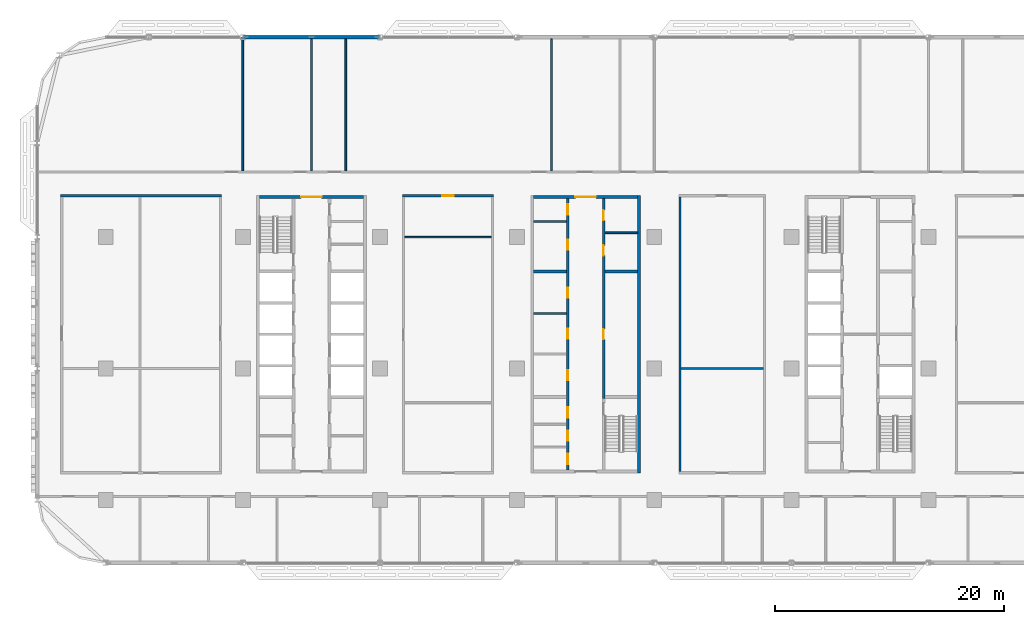
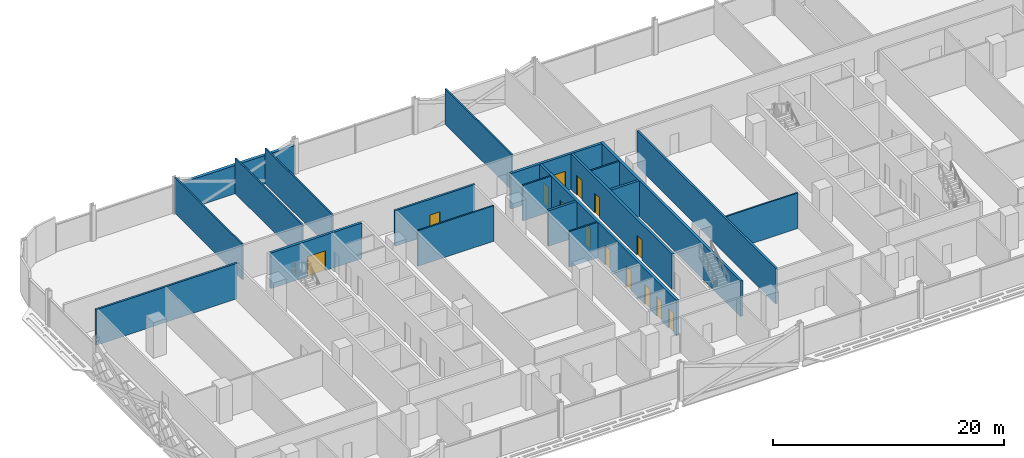
# One storey, part 15 of 29: 20 walls, 14 doors, 14 openings.
"""IFC4 building model written with IfcOpenShell, lengths in metres."""

from ifc_helpers import new_model, si_unit, direction, frame, frame_2d, origin, place, context, subcontext, project, spatial, rectangle, extrude, material, layer, layer_set, type_object, element, fill, save


model = new_model("IFC4")

# Units and contexts
model_context = context("Model", 3, precision=1e-05, world=origin(), true_north=direction((0.0, 1.0)))
body_context = subcontext(model_context, "Body", "Model", "MODEL_VIEW")
ifc_project = project(units=[si_unit("LENGTHUNIT", "METRE"), si_unit("AREAUNIT", "SQUARE_METRE"), si_unit("VOLUMEUNIT", "CUBIC_METRE"), si_unit("PLANEANGLEUNIT", "RADIAN"), si_unit("MASSUNIT", "GRAM", prefix="KILO")], contexts=[model_context])

# Site, building, storey
site_placement = place(None, origin())
site = spatial("IfcSite", under=ifc_project, at=site_placement, CompositionType="ELEMENT")
building_placement = place(site_placement, origin())
building = spatial("IfcBuilding", under=site, at=building_placement, Name="Mahtab Terrace Research Tower", CompositionType="ELEMENT")
storey_placement = place(building_placement, frame((0.0, 0.0, 146.60009765625)))
storey = spatial("IfcBuildingStorey", under=building, at=storey_placement, Name="L34", CompositionType="ELEMENT", Elevation=146.60009765625)

# Walls
ifc_material_1 = material(Name="Gypsum board partition")
ifc_layer_1 = layer(ifc_material_1, 0.14990234375)
ifc_layer_set_1 = layer_set([ifc_layer_1], Name="Core partition 150")
wall_type_1 = type_object("IfcWallType", Name="Core partition 150", PredefinedType="PARTITIONING", material=ifc_layer_set_1)
for number, where, z_axis, x_axis, name in (
    (1, (-4.550048828125, 4.827392578125, 0.0), (0.0, 0.0, 1.0), (1.0, 0.0, 0.0), "Core wall B pWL183"),
    (2, (-4.550048828125, 12.875, 0.0), (0.0, 0.0, 1.0), (1.0, 0.0, 0.0), "Core wall B pWN988"),
    (3, (1.699951171875, 11.875, 0.0), (0.0, 0.0, 1.0), (1.0, 0.0, 0.0), "Core wall B pEN888"),
):
    element("IfcWall", number, at=place(storey_placement, frame(where, z_axis=z_axis, x_axis=x_axis)), inside=storey, type_object=wall_type_1, Name=name, PredefinedType="PARTITIONING", context=body_context, shape_type="SweptSolid", body=[
        extrude(rectangle(XDim=2.85009765625, YDim=0.14990234375, at=frame_2d((1.425048828125, 0.0))), origin(), (0.0, 0.0, 1.0), 3.760009765625),
    ])

# Wall, opening, door
ifc_material_2 = material(Name="Concrete C70/85", Category="concrete")
ifc_layer_2 = layer(ifc_material_2, 0.25)
ifc_layer_set_2 = layer_set([ifc_layer_2], Name="Core wall 250")
wall_type_2 = type_object("IfcWallType", Name="Core wall 250", PredefinedType="SOLIDWALL", material=ifc_layer_set_2)
wall_1_placement = place(storey_placement, frame((-28.550048828125, 15.0, 0.0), z_axis=(0.0, 0.0, 1.0), x_axis=(1.0, 0.0, 0.0)))
wall_1 = element("IfcWall", 4, at=wall_1_placement, inside=storey, type_object=wall_type_2, Name="Core wall A endN", PredefinedType="SOLIDWALL", context=body_context, shape_type="SweptSolid", body=[
    extrude(rectangle(XDim=9.10009765625, YDim=0.25, at=frame_2d((4.550048828125, 0.0))), origin(), (0.0, 0.0, 1.0), 3.760009765625),
])
opening_1_placement = place(wall_1_placement, frame((3.64990234375, 0.0, 0.0)))
opening_1 = element("IfcOpeningElement", 5, at=opening_1_placement, cuts=wall_1, Name="Opening A-N1", PredefinedType="OPENING", context=body_context, shape_type="SweptSolid", body=[
    extrude(rectangle(XDim=1.800048828125, YDim=2.10009765625, at=frame_2d((0.89990234375, 1.050048828125))), frame((0.0, 0.135009765625, 0.0), z_axis=(0.0, -1.0, 0.0), x_axis=(1.0, 0.0, 0.0)), (0.0, 0.0, 1.0), 0.27001953125),
])
ifc_material_3 = material(Name="Steel fire door", Category="steel")
door_type_1 = type_object("IfcDoorType", Name="Lobby double door 1800x2100 1 HR", OperationType="DOUBLE_DOOR_SINGLE_SWING", PredefinedType="DOOR", material=ifc_material_3)
door_1_placement = place(opening_1_placement, origin())
door_1 = element("IfcDoor", 6, at=door_1_placement, inside=storey, type_object=door_type_1, Name="Core entrance door A N", OperationType="DOUBLE_DOOR_SINGLE_SWING", OverallHeight=2.10009765625, OverallWidth=1.800048828125, PredefinedType="DOOR", context=body_context, shape_type="SweptSolid", body=[
    extrude(rectangle(XDim=1.800048828125, YDim=2.10009765625, at=frame_2d((0.89990234375, 1.050048828125))), frame((0.0, 0.02490234375, 0.0), z_axis=(0.0, -1.0, 0.0), x_axis=(1.0, 0.0, 0.0)), (0.0, 0.0, 1.0), 0.050048828125),
])
fill(opening_1, door_1)

# Wall
wall_2_placement = place(storey_placement, frame((4.675048828125, -9.125, 0.0), z_axis=(0.0, 0.0, 1.0), x_axis=(0.0, 1.0, 0.0)))
element("IfcWall", 7, at=wall_2_placement, inside=storey, type_object=wall_type_2, Name="Core wall B outerE", PredefinedType="SOLIDWALL", context=body_context, shape_type="SweptSolid", body=[
    extrude(rectangle(XDim=24.25, YDim=0.25, at=frame_2d((12.125, 0.0))), origin(), (0.0, 0.0, 1.0), 3.760009765625),
])

# Wall, opening, door
wall_3_placement = place(storey_placement, frame((-4.550048828125, 15.0, 0.0), z_axis=(0.0, 0.0, 1.0), x_axis=(1.0, 0.0, 0.0)))
wall_3 = element("IfcWall", 8, at=wall_3_placement, inside=storey, type_object=wall_type_2, Name="Core wall B endN", PredefinedType="SOLIDWALL", context=body_context, shape_type="SweptSolid", body=[
    extrude(rectangle(XDim=9.10009765625, YDim=0.25, at=frame_2d((4.550048828125, 0.0))), origin(), (0.0, 0.0, 1.0), 3.760009765625),
])
opening_2_placement = place(wall_3_placement, frame((3.64990234375, 0.0, 0.0)))
opening_2 = element("IfcOpeningElement", 9, at=opening_2_placement, cuts=wall_3, Name="Opening B-N1", PredefinedType="OPENING", context=body_context, shape_type="SweptSolid", body=[
    extrude(rectangle(XDim=1.800048828125, YDim=2.10009765625, at=frame_2d((0.89990234375, 1.050048828125))), frame((0.0, 0.135009765625, 0.0), z_axis=(0.0, -1.0, 0.0), x_axis=(1.0, 0.0, 0.0)), (0.0, 0.0, 1.0), 0.27001953125),
])
door_2_placement = place(opening_2_placement, origin())
door_2 = element("IfcDoor", 10, at=door_2_placement, inside=storey, type_object=door_type_1, Name="Core entrance door B N", OperationType="DOUBLE_DOOR_SINGLE_SWING", OverallHeight=2.10009765625, OverallWidth=1.800048828125, PredefinedType="DOOR", context=body_context, shape_type="SweptSolid", body=[
    extrude(rectangle(XDim=1.800048828125, YDim=2.10009765625, at=frame_2d((0.89990234375, 1.050048828125))), frame((0.0, 0.02490234375, 0.0), z_axis=(0.0, -1.0, 0.0), x_axis=(1.0, 0.0, 0.0)), (0.0, 0.0, 1.0), 0.050048828125),
])
fill(opening_2, door_2)

# Wall, openings, doors
wall_4_placement = place(storey_placement, frame((-1.574951171875, -8.875, 0.0), z_axis=(0.0, 0.0, 1.0), x_axis=(0.0, 1.0, 0.0)))
wall_4 = element("IfcWall", 11, at=wall_4_placement, inside=storey, type_object=wall_type_2, Name="Core wall B innerWSLN", PredefinedType="SOLIDWALL", context=body_context, shape_type="SweptSolid", body=[
    extrude(rectangle(XDim=23.75, YDim=0.25, at=frame_2d((11.875, 0.0))), origin(), (0.0, 0.0, 1.0), 3.760009765625),
])
opening_3_placement = place(wall_4_placement, frame((7.840087890625, 0.0, 0.0)))
opening_3 = element("IfcOpeningElement", 12, at=opening_3_placement, cuts=wall_4, Name="Opening B-R1", PredefinedType="OPENING", context=body_context, shape_type="SweptSolid", body=[
    extrude(rectangle(XDim=0.89990234375, YDim=2.10009765625, at=frame_2d((0.449951171875, 1.050048828125))), frame((0.0, 0.135009765625, 0.0), z_axis=(0.0, -1.0, 0.0), x_axis=(1.0, 0.0, 0.0)), (0.0, 0.0, 1.0), 0.27001953125),
])
opening_4_placement = place(wall_4_placement, frame((11.478759765625, 0.0, 0.0)))
opening_4 = element("IfcOpeningElement", 13, at=opening_4_placement, cuts=wall_4, Name="Opening B-R2", PredefinedType="OPENING", context=body_context, shape_type="SweptSolid", body=[
    extrude(rectangle(XDim=0.89990234375, YDim=2.10009765625, at=frame_2d((0.449951171875, 1.050048828125))), frame((0.0, 0.135009765625, 0.0), z_axis=(0.0, -1.0, 0.0), x_axis=(1.0, 0.0, 0.0)), (0.0, 0.0, 1.0), 0.27001953125),
])
opening_5_placement = place(wall_4_placement, frame((15.063720703125, 0.0, 0.0)))
opening_5 = element("IfcOpeningElement", 14, at=opening_5_placement, cuts=wall_4, Name="Opening B-R3", PredefinedType="OPENING", context=body_context, shape_type="SweptSolid", body=[
    extrude(rectangle(XDim=0.89990234375, YDim=2.10009765625, at=frame_2d((0.449951171875, 1.050048828125))), frame((0.0, 0.135009765625, 0.0), z_axis=(0.0, -1.0, 0.0), x_axis=(1.0, 0.0, 0.0)), (0.0, 0.0, 1.0), 0.27001953125),
])
opening_6_placement = place(wall_4_placement, frame((0.512451171875, 0.0, 0.0)))
opening_6 = element("IfcOpeningElement", 15, at=opening_6_placement, cuts=wall_4, Name="Opening B-R5", PredefinedType="OPENING", context=body_context, shape_type="SweptSolid", body=[
    extrude(rectangle(XDim=0.89990234375, YDim=2.10009765625, at=frame_2d((0.449951171875, 1.050048828125))), frame((0.0, 0.135009765625, 0.0), z_axis=(0.0, -1.0, 0.0), x_axis=(1.0, 0.0, 0.0)), (0.0, 0.0, 1.0), 0.27001953125),
])
opening_7_placement = place(wall_4_placement, frame((2.550048828125, 0.0, 0.0)))
opening_7 = element("IfcOpeningElement", 16, at=opening_7_placement, cuts=wall_4, Name="Opening B-R6", PredefinedType="OPENING", context=body_context, shape_type="SweptSolid", body=[
    extrude(rectangle(XDim=0.89990234375, YDim=2.10009765625, at=frame_2d((0.449951171875, 1.050048828125))), frame((0.0, 0.135009765625, 0.0), z_axis=(0.0, -1.0, 0.0), x_axis=(1.0, 0.0, 0.0)), (0.0, 0.0, 1.0), 0.27001953125),
])
opening_8_placement = place(wall_4_placement, frame((4.58740234375, 0.0, 0.0)))
opening_8 = element("IfcOpeningElement", 17, at=opening_8_placement, cuts=wall_4, Name="Opening B-R7", PredefinedType="OPENING", context=body_context, shape_type="SweptSolid", body=[
    extrude(rectangle(XDim=0.89990234375, YDim=2.10009765625, at=frame_2d((0.449951171875, 1.050048828125))), frame((0.0, 0.135009765625, 0.0), z_axis=(0.0, -1.0, 0.0), x_axis=(1.0, 0.0, 0.0)), (0.0, 0.0, 1.0), 0.27001953125),
])
opening_9_placement = place(wall_4_placement, frame((19.262451171875, 0.0, 0.0)))
opening_9 = element("IfcOpeningElement", 18, at=opening_9_placement, cuts=wall_4, Name="Opening B-R8", PredefinedType="OPENING", context=body_context, shape_type="SweptSolid", body=[
    extrude(rectangle(XDim=0.89990234375, YDim=2.10009765625, at=frame_2d((0.449951171875, 1.050048828125))), frame((0.0, 0.135009765625, 0.0), z_axis=(0.0, -1.0, 0.0), x_axis=(1.0, 0.0, 0.0)), (0.0, 0.0, 1.0), 0.27001953125),
])
opening_10_placement = place(wall_4_placement, frame((22.33740234375, 0.0, 0.0)))
opening_10 = element("IfcOpeningElement", 19, at=opening_10_placement, cuts=wall_4, Name="Opening B-R9", PredefinedType="OPENING", context=body_context, shape_type="SweptSolid", body=[
    extrude(rectangle(XDim=0.89990234375, YDim=2.10009765625, at=frame_2d((0.449951171875, 1.050048828125))), frame((0.0, 0.135009765625, 0.0), z_axis=(0.0, -1.0, 0.0), x_axis=(1.0, 0.0, 0.0)), (0.0, 0.0, 1.0), 0.27001953125),
])
door_type_2 = type_object("IfcDoorType", Name="Room door 900x2100 1 HR", OperationType="NOTDEFINED", PredefinedType="DOOR", material=ifc_material_3)
door_3_placement = place(opening_3_placement, origin())
door_3 = element("IfcDoor", 20, at=door_3_placement, inside=storey, type_object=door_type_2, Name="Battery room door", OperationType="SINGLE_SWING_LEFT", OverallHeight=2.10009765625, OverallWidth=0.89990234375, PredefinedType="DOOR", context=body_context, shape_type="SweptSolid", body=[
    extrude(rectangle(XDim=0.89990234375, YDim=2.10009765625, at=frame_2d((0.449951171875, 1.050048828125))), frame((0.0, 0.02490234375, 0.0), z_axis=(0.0, -1.0, 0.0), x_axis=(1.0, 0.0, 0.0)), (0.0, 0.0, 1.0), 0.050048828125),
])
fill(opening_3, door_3)
door_4_placement = place(opening_4_placement, origin())
door_4 = element("IfcDoor", 21, at=door_4_placement, inside=storey, type_object=door_type_2, Name="Cooling plant room door", OperationType="SINGLE_SWING_RIGHT", OverallHeight=2.10009765625, OverallWidth=0.89990234375, PredefinedType="DOOR", context=body_context, shape_type="SweptSolid", body=[
    extrude(rectangle(XDim=0.89990234375, YDim=2.10009765625, at=frame_2d((0.449951171875, 1.050048828125))), frame((0.0, 0.02490234375, 0.0), z_axis=(0.0, -1.0, 0.0), x_axis=(1.0, 0.0, 0.0)), (0.0, 0.0, 1.0), 0.050048828125),
])
fill(opening_4, door_4)
door_5_placement = place(opening_5_placement, origin())
door_5 = element("IfcDoor", 22, at=door_5_placement, inside=storey, type_object=door_type_2, Name="Spare parts store door", OperationType="SINGLE_SWING_LEFT", OverallHeight=2.10009765625, OverallWidth=0.89990234375, PredefinedType="DOOR", context=body_context, shape_type="SweptSolid", body=[
    extrude(rectangle(XDim=0.89990234375, YDim=2.10009765625, at=frame_2d((0.449951171875, 1.050048828125))), frame((0.0, 0.02490234375, 0.0), z_axis=(0.0, -1.0, 0.0), x_axis=(1.0, 0.0, 0.0)), (0.0, 0.0, 1.0), 0.050048828125),
])
fill(opening_5, door_5)
door_6_placement = place(opening_6_placement, origin())
door_6 = element("IfcDoor", 23, at=door_6_placement, inside=storey, type_object=door_type_2, Name="Comms riser room door", OperationType="SINGLE_SWING_LEFT", OverallHeight=2.10009765625, OverallWidth=0.89990234375, PredefinedType="DOOR", context=body_context, shape_type="SweptSolid", body=[
    extrude(rectangle(XDim=0.89990234375, YDim=2.10009765625, at=frame_2d((0.449951171875, 1.050048828125))), frame((0.0, 0.02490234375, 0.0), z_axis=(0.0, -1.0, 0.0), x_axis=(1.0, 0.0, 0.0)), (0.0, 0.0, 1.0), 0.050048828125),
])
fill(opening_6, door_6)
door_7_placement = place(opening_7_placement, origin())
door_7 = element("IfcDoor", 24, at=door_7_placement, inside=storey, type_object=door_type_2, Name="Pantry door", OperationType="SINGLE_SWING_RIGHT", OverallHeight=2.10009765625, OverallWidth=0.89990234375, PredefinedType="DOOR", context=body_context, shape_type="SweptSolid", body=[
    extrude(rectangle(XDim=0.89990234375, YDim=2.10009765625, at=frame_2d((0.449951171875, 1.050048828125))), frame((0.0, 0.02490234375, 0.0), z_axis=(0.0, -1.0, 0.0), x_axis=(1.0, 0.0, 0.0)), (0.0, 0.0, 1.0), 0.050048828125),
])
fill(opening_7, door_7)
door_8_placement = place(opening_8_placement, origin())
door_8 = element("IfcDoor", 25, at=door_8_placement, inside=storey, type_object=door_type_2, Name="Cleaners store door", OperationType="SINGLE_SWING_LEFT", OverallHeight=2.10009765625, OverallWidth=0.89990234375, PredefinedType="DOOR", context=body_context, shape_type="SweptSolid", body=[
    extrude(rectangle(XDim=0.89990234375, YDim=2.10009765625, at=frame_2d((0.449951171875, 1.050048828125))), frame((0.0, 0.02490234375, 0.0), z_axis=(0.0, -1.0, 0.0), x_axis=(1.0, 0.0, 0.0)), (0.0, 0.0, 1.0), 0.050048828125),
])
fill(opening_8, door_8)
door_9_placement = place(opening_9_placement, origin())
door_9 = element("IfcDoor", 26, at=door_9_placement, inside=storey, type_object=door_type_2, Name="IT equipment room door", OperationType="SINGLE_SWING_RIGHT", OverallHeight=2.10009765625, OverallWidth=0.89990234375, PredefinedType="DOOR", context=body_context, shape_type="SweptSolid", body=[
    extrude(rectangle(XDim=0.89990234375, YDim=2.10009765625, at=frame_2d((0.449951171875, 1.050048828125))), frame((0.0, 0.02490234375, 0.0), z_axis=(0.0, -1.0, 0.0), x_axis=(1.0, 0.0, 0.0)), (0.0, 0.0, 1.0), 0.050048828125),
])
fill(opening_9, door_9)
door_10_placement = place(opening_10_placement, origin())
door_10 = element("IfcDoor", 27, at=door_10_placement, inside=storey, type_object=door_type_2, Name="Electrical riser room door", OperationType="SINGLE_SWING_LEFT", OverallHeight=2.10009765625, OverallWidth=0.89990234375, PredefinedType="DOOR", context=body_context, shape_type="SweptSolid", body=[
    extrude(rectangle(XDim=0.89990234375, YDim=2.10009765625, at=frame_2d((0.449951171875, 1.050048828125))), frame((0.0, 0.02490234375, 0.0), z_axis=(0.0, -1.0, 0.0), x_axis=(1.0, 0.0, 0.0)), (0.0, 0.0, 1.0), 0.050048828125),
])
fill(opening_10, door_10)

wall_5_placement = place(storey_placement, frame((1.574951171875, 14.875, 0.0), z_axis=(0.0, 0.0, 1.0), x_axis=(0.0, -1.0, 0.0)))
wall_5 = element("IfcWall", 28, at=wall_5_placement, inside=storey, type_object=wall_type_2, Name="Core wall B innerELN", PredefinedType="SOLIDWALL", context=body_context, shape_type="SweptSolid", body=[
    extrude(rectangle(XDim=17.5, YDim=0.25, at=frame_2d((8.75, 0.0))), origin(), (0.0, 0.0, 1.0), 3.760009765625),
])
opening_11_placement = place(wall_5_placement, frame((11.425048828125, 0.0, 0.0)))
opening_11 = element("IfcOpeningElement", 29, at=opening_11_placement, cuts=wall_5, Name="Opening B-R4", PredefinedType="OPENING", context=body_context, shape_type="SweptSolid", body=[
    extrude(rectangle(XDim=0.89990234375, YDim=2.10009765625, at=frame_2d((0.449951171875, 1.050048828125))), frame((0.0, 0.135009765625, 0.0), z_axis=(0.0, -1.0, 0.0), x_axis=(1.0, 0.0, 0.0)), (0.0, 0.0, 1.0), 0.27001953125),
])
opening_12_placement = place(wall_5_placement, frame((4.08740234375, 0.0, 0.0)))
opening_12 = element("IfcOpeningElement", 30, at=opening_12_placement, cuts=wall_5, Name="Opening B-R10", PredefinedType="OPENING", context=body_context, shape_type="SweptSolid", body=[
    extrude(rectangle(XDim=0.89990234375, YDim=2.10009765625, at=frame_2d((0.449951171875, 1.050048828125))), frame((0.0, 0.135009765625, 0.0), z_axis=(0.0, -1.0, 0.0), x_axis=(1.0, 0.0, 0.0)), (0.0, 0.0, 1.0), 0.27001953125),
])
opening_13_placement = place(wall_5_placement, frame((1.012451171875, 0.0, 0.0)))
opening_13 = element("IfcOpeningElement", 31, at=opening_13_placement, cuts=wall_5, Name="Opening B-R11", PredefinedType="OPENING", context=body_context, shape_type="SweptSolid", body=[
    extrude(rectangle(XDim=0.89990234375, YDim=2.10009765625, at=frame_2d((0.449951171875, 1.050048828125))), frame((0.0, 0.135009765625, 0.0), z_axis=(0.0, -1.0, 0.0), x_axis=(1.0, 0.0, 0.0)), (0.0, 0.0, 1.0), 0.27001953125),
])
door_11_placement = place(opening_11_placement, origin())
door_11 = element("IfcDoor", 32, at=door_11_placement, inside=storey, type_object=door_type_2, Name="Plant room door", OperationType="SINGLE_SWING_RIGHT", OverallHeight=2.10009765625, OverallWidth=0.89990234375, PredefinedType="DOOR", context=body_context, shape_type="SweptSolid", body=[
    extrude(rectangle(XDim=0.89990234375, YDim=2.10009765625, at=frame_2d((0.449951171875, 1.050048828125))), frame((0.0, 0.02490234375, 0.0), z_axis=(0.0, -1.0, 0.0), x_axis=(1.0, 0.0, 0.0)), (0.0, 0.0, 1.0), 0.050048828125),
])
fill(opening_11, door_11)
door_12_placement = place(opening_12_placement, origin())
door_12 = element("IfcDoor", 33, at=door_12_placement, inside=storey, type_object=door_type_2, Name="Staff WC door", OperationType="SINGLE_SWING_RIGHT", OverallHeight=2.10009765625, OverallWidth=0.89990234375, PredefinedType="DOOR", context=body_context, shape_type="SweptSolid", body=[
    extrude(rectangle(XDim=0.89990234375, YDim=2.10009765625, at=frame_2d((0.449951171875, 1.050048828125))), frame((0.0, 0.02490234375, 0.0), z_axis=(0.0, -1.0, 0.0), x_axis=(1.0, 0.0, 0.0)), (0.0, 0.0, 1.0), 0.050048828125),
])
fill(opening_12, door_12)
door_13_placement = place(opening_13_placement, origin())
door_13 = element("IfcDoor", 34, at=door_13_placement, inside=storey, type_object=door_type_2, Name="Accessible WC door", OperationType="SINGLE_SWING_LEFT", OverallHeight=2.10009765625, OverallWidth=0.89990234375, PredefinedType="DOOR", context=body_context, shape_type="SweptSolid", body=[
    extrude(rectangle(XDim=0.89990234375, YDim=2.10009765625, at=frame_2d((0.449951171875, 1.050048828125))), frame((0.0, 0.02490234375, 0.0), z_axis=(0.0, -1.0, 0.0), x_axis=(1.0, 0.0, 0.0)), (0.0, 0.0, 1.0), 0.050048828125),
])
fill(opening_13, door_13)

# Walls
for number, where, z_axis, x_axis, name in (
    (35, (-4.550048828125, 8.5, 0.0), (0.0, 0.0, 1.0), (1.0, 0.0, 0.0), "Core wall B divW4"),
    (36, (1.699951171875, 8.5, 0.0), (0.0, 0.0, 1.0), (1.0, 0.0, 0.0), "Core wall B divE4"),
):
    element("IfcWall", number, at=place(storey_placement, frame(where, z_axis=z_axis, x_axis=x_axis)), inside=storey, type_object=wall_type_2, Name=name, PredefinedType="SOLIDWALL", context=body_context, shape_type="SweptSolid", body=[
        extrude(rectangle(XDim=2.85009765625, YDim=0.25, at=frame_2d((1.425048828125, 0.0))), origin(), (0.0, 0.0, 1.0), 3.760009765625),
    ])
ifc_material_4 = material(Name="Black aluminium cladding panel", Category="aluminium")
ifc_layer_3 = layer(ifc_material_4, 0.300048828125)
ifc_layer_set_3 = layer_set([ifc_layer_3], Name="Opaque facade wall 300")
wall_type_3 = type_object("IfcWallType", Name="Opaque facade wall 300", PredefinedType="NOTDEFINED", material=ifc_layer_set_3)
wall_6_placement = place(storey_placement, frame((-18.017822265625, 29.0, 0.0), z_axis=(0.0, 0.0, 1.0), x_axis=(-1.0, 0.0, 0.0)))
element("IfcWall", 37, at=wall_6_placement, inside=storey, type_object=wall_type_3, Name="Opaque facade wall L34 N8", PredefinedType="NOTDEFINED", context=body_context, shape_type="SweptSolid", body=[
    extrude(rectangle(XDim=11.96435546875, YDim=0.300048828125, at=frame_2d((5.982177734375, 0.0))), origin(), (0.0, 0.0, 1.0), 3.0029296875),
])
ifc_material_5 = material(Name="Gypsum board corridor wall on steel studs", Category="steel")
ifc_layer_4 = layer(ifc_material_5, 0.199951171875)
ifc_layer_set_4 = layer_set([ifc_layer_4], Name="WALL CORRIDOR 200")
wall_type_4 = type_object("IfcWallType", Name="WALL CORRIDOR 200", PredefinedType="PARTITIONING", material=ifc_layer_set_4)
wall_7_placement = place(storey_placement, frame((-45.949951171875, 15.125, 0.0), z_axis=(0.0, 0.0, 1.0), x_axis=(1.0, 0.0, 0.0)))
element("IfcWall", 38, at=wall_7_placement, inside=storey, type_object=wall_type_4, Name="L34-W022", PredefinedType="PARTITIONING", context=body_context, shape_type="SweptSolid", body=[
    extrude(rectangle(XDim=14.099853515625, YDim=0.199951171875, at=frame_2d((7.0498046875, 0.0))), origin(), (0.0, 0.0, 1.0), 3.760009765625),
])

# Wall, opening, door
wall_8_placement = place(storey_placement, frame((-16.050048828125, 15.125, 0.0), z_axis=(0.0, 0.0, 1.0), x_axis=(1.0, 0.0, 0.0)))
wall_8 = element("IfcWall", 39, at=wall_8_placement, inside=storey, type_object=wall_type_4, Name="L34-W023", PredefinedType="PARTITIONING", context=body_context, shape_type="SweptSolid", body=[
    extrude(rectangle(XDim=8.0, YDim=0.199951171875, at=frame_2d((4.0, 0.0))), origin(), (0.0, 0.0, 1.0), 3.760009765625),
])
opening_14_placement = place(wall_8_placement, frame((3.5, 0.0, 0.0)))
opening_14 = element("IfcOpeningElement", 40, at=opening_14_placement, cuts=wall_8, Name="Opening L34-128", PredefinedType="OPENING", context=body_context, shape_type="SweptSolid", body=[
    extrude(rectangle(XDim=1.0, YDim=2.10009765625, at=frame_2d((0.5, 1.050048828125))), frame((0.0, 0.10986328125, 0.0), z_axis=(0.0, -1.0, 0.0), x_axis=(1.0, 0.0, 0.0)), (0.0, 0.0, 1.0), 0.219970703125),
])
ifc_material_6 = material(Name="Timber door leaf in steel frame", Category="steel")
door_type_3 = type_object("IfcDoorType", Name="DOOR 1000X2100 FD30S", OperationType="SINGLE_SWING_LEFT", PredefinedType="DOOR", material=ifc_material_6)
door_14_placement = place(opening_14_placement, origin())
door_14 = element("IfcDoor", 41, at=door_14_placement, inside=storey, type_object=door_type_3, Name="Door L34-128", OperationType="SINGLE_SWING_RIGHT", OverallHeight=2.10009765625, OverallWidth=1.0, PredefinedType="DOOR", context=body_context, shape_type="SweptSolid", body=[
    extrude(rectangle(XDim=1.0, YDim=2.10009765625, at=frame_2d((0.5, 1.050048828125))), frame((0.0, 0.02490234375, 0.0), z_axis=(0.0, -1.0, 0.0), x_axis=(1.0, 0.0, 0.0)), (0.0, 0.0, 1.0), 0.050048828125),
])
fill(opening_14, door_14)

# Walls
wall_9_placement = place(storey_placement, frame((8.25, -9.02490234375, 0.0), z_axis=(0.0, 0.0, 1.0), x_axis=(0.0, 1.0, 0.0)))
element("IfcWall", 42, at=wall_9_placement, inside=storey, type_object=wall_type_4, Name="L34-W046", PredefinedType="PARTITIONING", context=body_context, shape_type="SweptSolid", body=[
    extrude(rectangle(XDim=24.0498046875, YDim=0.199951171875, at=frame_2d((12.02490234375, 0.0))), origin(), (0.0, 0.0, 1.0), 3.760009765625),
])
ifc_material_7 = material(Name="Gypsum board partition on steel studs", Category="steel")
ifc_layer_5 = layer(ifc_material_7, 0.14990234375)
ifc_layer_set_5 = layer_set([ifc_layer_5], Name="WALL PARTITION 150")
wall_type_5 = type_object("IfcWallType", Name="WALL PARTITION 150", PredefinedType="PARTITIONING", material=ifc_layer_set_5)
wall_10_placement = place(storey_placement, frame((8.35009765625, 0.0, 0.0), z_axis=(0.0, 0.0, 1.0), x_axis=(1.0, 0.0, 0.0)))
element("IfcWall", 43, at=wall_10_placement, inside=storey, type_object=wall_type_5, Name="L34-W018", PredefinedType="PARTITIONING", context=body_context, shape_type="SweptSolid", body=[
    extrude(rectangle(XDim=7.199951171875, YDim=0.14990234375, at=frame_2d((3.60009765625, 0.0))), origin(), (0.0, 0.0, 1.0), 3.760009765625),
])
wall_11_placement = place(storey_placement, frame((-15.85009765625, 11.5, 0.0), z_axis=(0.0, 0.0, 1.0), x_axis=(1.0, 0.0, 0.0)))
element("IfcWall", 44, at=wall_11_placement, inside=storey, type_object=wall_type_5, Name="L34-W019", PredefinedType="PARTITIONING", context=body_context, shape_type="SweptSolid", body=[
    extrude(rectangle(XDim=7.60009765625, YDim=0.14990234375, at=frame_2d((3.800048828125, 0.0))), origin(), (0.0, 0.0, 1.0), 3.760009765625),
])
wall_12_placement = place(storey_placement, frame((-30.0, 17.300048828125, 0.0), z_axis=(0.0, 0.0, 1.0), x_axis=(0.0, 1.0, 0.0)))
element("IfcWall", 45, at=wall_12_placement, inside=storey, type_object=wall_type_5, Name="L34-W032", PredefinedType="PARTITIONING", context=body_context, shape_type="SweptSolid", body=[
    extrude(rectangle(XDim=11.675048828125, YDim=0.14990234375, at=frame_2d((5.83740234375, 0.0))), origin(), (0.0, 0.0, 1.0), 3.760009765625),
])
for number, where, z_axis, x_axis, name in (
    (46, (-24.0, 17.300048828125, 0.0), (0.0, 0.0, 1.0), (0.0, 1.0, 0.0), "L34-W034"),
    (47, (-21.0, 17.300048828125, 0.0), (0.0, 0.0, 1.0), (0.0, 1.0, 0.0), "L34-W035"),
    (48, (-3.0, 17.300048828125, 0.0), (0.0, 0.0, 1.0), (0.0, 1.0, 0.0), "L34-W041"),
):
    element("IfcWall", number, at=place(storey_placement, frame(where, z_axis=z_axis, x_axis=x_axis)), inside=storey, type_object=wall_type_5, Name=name, PredefinedType="PARTITIONING", context=body_context, shape_type="SweptSolid", body=[
        extrude(rectangle(XDim=11.550048828125, YDim=0.14990234375, at=frame_2d((5.77490234375, 0.0))), origin(), (0.0, 0.0, 1.0), 3.760009765625),
    ])

save(model, "model.ifc")
